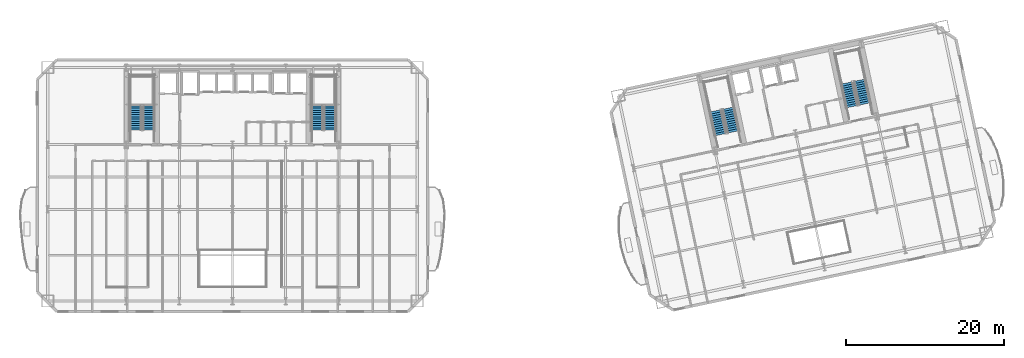
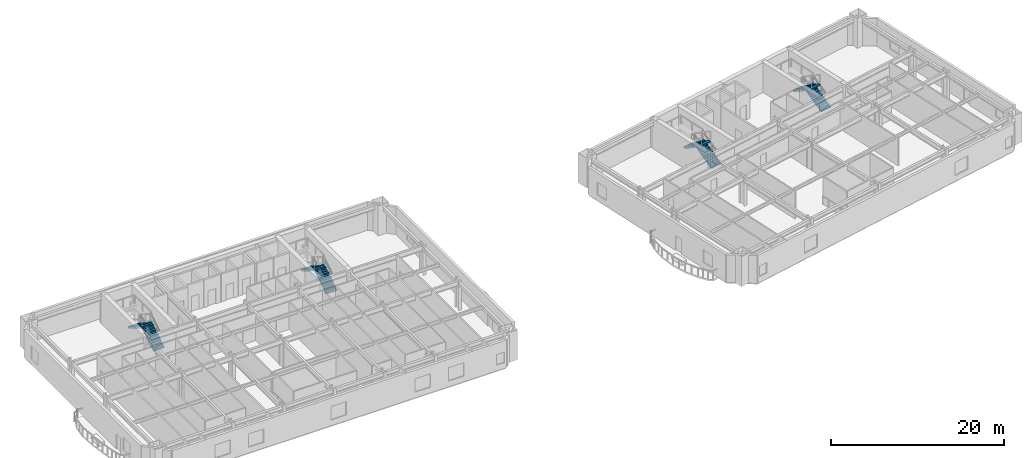
# One storey, part 10 of 15: 8 stair flights, 4 elements without a shape of their own.
"""IFC4 building model written with IfcOpenShell, lengths in metres."""

from ifc_helpers import new_model, si_unit, direction, frame, origin, place, context, subcontext, project, spatial, polyline, outline, extrude, material, type_object, element, aggregate, save


model = new_model("IFC4")

# Units and contexts
model_context = context("Model", 3, precision=1e-05, world=origin(), true_north=direction((0.0, 1.0)))
body_context = subcontext(model_context, "Body", "Model", "MODEL_VIEW")
ifc_project = project(units=[si_unit("LENGTHUNIT", "METRE"), si_unit("AREAUNIT", "SQUARE_METRE"), si_unit("VOLUMEUNIT", "CUBIC_METRE"), si_unit("PLANEANGLEUNIT", "RADIAN"), si_unit("MASSUNIT", "GRAM", prefix="KILO")], contexts=[model_context])

# Site, building, storey
site_placement = place(None, origin())
site = spatial("IfcSite", under=ifc_project, at=site_placement, CompositionType="ELEMENT")
building_placement = place(site_placement, origin())
building = spatial("IfcBuilding", under=site, at=building_placement, Name="Haevon Station Towers", CompositionType="ELEMENT")
storey_placement = place(building_placement, frame((0.0, 0.0, 77.699951171875)))
storey = spatial("IfcBuildingStorey", under=building, at=storey_placement, Name="L20", CompositionType="ELEMENT", Elevation=77.699951171875)

# Stair, stair flights
ifc_material = material(Name="Concrete C40/50", Category="concrete")
stair_type = type_object("IfcStairType", Name="STR-DL1450", PredefinedType="USERDEFINED", material=ifc_material)
stair_1_placement = place(storey_placement, origin())
stair_1 = element("IfcStair", 1, at=stair_1_placement, inside=storey, type_object=stair_type, Name="L20 Escape Stair ST1", ObjectType="TWO_RETURN_STAIR", PredefinedType="USERDEFINED")
stair_flight_type = type_object("IfcStairFlightType", Name="STF-ST1450", PredefinedType="STRAIGHT", material=ifc_material)
stair_flight_1_placement = place(storey_placement, frame((26.85498046875, 40.050048828125, 0.0), z_axis=(0.0, 0.0, 1.0), x_axis=(0.0, 1.0, 0.0)))
stair_flight_1 = element("IfcStairFlight", 2, at=stair_flight_1_placement, type_object=stair_flight_type, Name="L20 ST1 Flight 1", NumberOfRisers=12, NumberOfTreads=11, PredefinedType="STRAIGHT", RiserHeight=0.175, TreadLength=0.28, context=body_context, shape_type="SweptSolid", body=[
    extrude(outline(polyline([(0.0, 0.0), (0.0, 0.175048828125), (0.280029296875, 0.175048828125), (0.280029296875, 0.35009765625), (0.56005859375, 0.35009765625), (0.56005859375, 0.52490234375), (0.840087890625, 0.52490234375), (0.840087890625, 0.699951171875), (1.1201171875, 0.699951171875), (1.1201171875, 0.875), (1.39990234375, 0.875), (1.39990234375, 1.050048828125), (1.679931640625, 1.050048828125), (1.679931640625, 1.22509765625), (1.9599609375, 1.22509765625), (1.9599609375, 1.39990234375), (2.239990234375, 1.39990234375), (2.239990234375, 1.574951171875), (2.52001953125, 1.574951171875), (2.52001953125, 1.75), (2.800048828125, 1.75), (2.800048828125, 1.925048828125), (3.080078125, 1.925048828125), (3.080078125, 2.10009765625), (3.080078125, 1.736328125), (0.3017578125, 0.0), (0.0, 0.0)])), frame((0.0, 0.72509765625, 0.0), z_axis=(0.0, -1.0, 0.0), x_axis=(1.0, 0.0, 0.0)), (0.0, 0.0, 1.0), 1.449951171875),
])
stair_flight_2_placement = place(storey_placement, frame((25.205078125, 43.1298828125, 2.10009765625), z_axis=(0.0, 0.0, 1.0), x_axis=(0.0, -1.0, 0.0)))
stair_flight_2 = element("IfcStairFlight", 3, at=stair_flight_2_placement, type_object=stair_flight_type, Name="L20 ST1 Flight 2", NumberOfRisers=12, NumberOfTreads=11, PredefinedType="STRAIGHT", RiserHeight=0.175, TreadLength=0.28, context=body_context, shape_type="SweptSolid", body=[
    extrude(outline(polyline([(0.0, 0.0), (0.0, 0.175048828125), (0.280029296875, 0.175048828125), (0.280029296875, 0.35009765625), (0.56005859375, 0.35009765625), (0.56005859375, 0.52490234375), (0.840087890625, 0.52490234375), (0.840087890625, 0.699951171875), (1.1201171875, 0.699951171875), (1.1201171875, 0.875), (1.39990234375, 0.875), (1.39990234375, 1.050048828125), (1.679931640625, 1.050048828125), (1.679931640625, 1.22509765625), (1.9599609375, 1.22509765625), (1.9599609375, 1.39990234375), (2.239990234375, 1.39990234375), (2.239990234375, 1.574951171875), (2.52001953125, 1.574951171875), (2.52001953125, 1.75), (2.800048828125, 1.75), (2.800048828125, 1.925048828125), (3.080078125, 1.925048828125), (3.080078125, 2.10009765625), (3.080078125, 1.736328125), (0.3017578125, 0.0), (0.0, 0.0)])), frame((0.0, 0.72509765625, 0.0), z_axis=(0.0, -1.0, 0.0), x_axis=(1.0, 0.0, 0.0)), (0.0, 0.0, 1.0), 1.449951171875),
])
aggregate(stair_1, [stair_flight_1, stair_flight_2])

stair_2_placement = place(storey_placement, origin())
stair_2 = element("IfcStair", 4, at=stair_2_placement, inside=storey, type_object=stair_type, Name="L20 Escape Stair ST2", ObjectType="TWO_RETURN_STAIR", PredefinedType="USERDEFINED")
stair_flight_3_placement = place(storey_placement, frame((49.89501953125, 40.050048828125, 0.0), z_axis=(0.0, 0.0, 1.0), x_axis=(0.0, 1.0, 0.0)))
stair_flight_3 = element("IfcStairFlight", 5, at=stair_flight_3_placement, type_object=stair_flight_type, Name="L20 ST2 Flight 1", NumberOfRisers=12, NumberOfTreads=11, PredefinedType="STRAIGHT", RiserHeight=0.175, TreadLength=0.28, context=body_context, shape_type="SweptSolid", body=[
    extrude(outline(polyline([(0.0, 0.0), (0.0, 0.175048828125), (0.280029296875, 0.175048828125), (0.280029296875, 0.35009765625), (0.56005859375, 0.35009765625), (0.56005859375, 0.52490234375), (0.840087890625, 0.52490234375), (0.840087890625, 0.699951171875), (1.1201171875, 0.699951171875), (1.1201171875, 0.875), (1.39990234375, 0.875), (1.39990234375, 1.050048828125), (1.679931640625, 1.050048828125), (1.679931640625, 1.22509765625), (1.9599609375, 1.22509765625), (1.9599609375, 1.39990234375), (2.239990234375, 1.39990234375), (2.239990234375, 1.574951171875), (2.52001953125, 1.574951171875), (2.52001953125, 1.75), (2.800048828125, 1.75), (2.800048828125, 1.925048828125), (3.080078125, 1.925048828125), (3.080078125, 2.10009765625), (3.080078125, 1.736328125), (0.3017578125, 0.0), (0.0, 0.0)])), frame((0.0, 0.72509765625, 0.0), z_axis=(0.0, -1.0, 0.0), x_axis=(1.0, 0.0, 0.0)), (0.0, 0.0, 1.0), 1.449951171875),
])
stair_flight_4_placement = place(storey_placement, frame((48.2451171875, 43.1298828125, 2.10009765625), z_axis=(0.0, 0.0, 1.0), x_axis=(0.0, -1.0, 0.0)))
stair_flight_4 = element("IfcStairFlight", 6, at=stair_flight_4_placement, type_object=stair_flight_type, Name="L20 ST2 Flight 2", NumberOfRisers=12, NumberOfTreads=11, PredefinedType="STRAIGHT", RiserHeight=0.175, TreadLength=0.28, context=body_context, shape_type="SweptSolid", body=[
    extrude(outline(polyline([(0.0, 0.0), (0.0, 0.175048828125), (0.280029296875, 0.175048828125), (0.280029296875, 0.35009765625), (0.56005859375, 0.35009765625), (0.56005859375, 0.52490234375), (0.840087890625, 0.52490234375), (0.840087890625, 0.699951171875), (1.1201171875, 0.699951171875), (1.1201171875, 0.875), (1.39990234375, 0.875), (1.39990234375, 1.050048828125), (1.679931640625, 1.050048828125), (1.679931640625, 1.22509765625), (1.9599609375, 1.22509765625), (1.9599609375, 1.39990234375), (2.239990234375, 1.39990234375), (2.239990234375, 1.574951171875), (2.52001953125, 1.574951171875), (2.52001953125, 1.75), (2.800048828125, 1.75), (2.800048828125, 1.925048828125), (3.080078125, 1.925048828125), (3.080078125, 2.10009765625), (3.080078125, 1.736328125), (0.3017578125, 0.0), (0.0, 0.0)])), frame((0.0, 0.72509765625, 0.0), z_axis=(0.0, -1.0, 0.0), x_axis=(1.0, 0.0, 0.0)), (0.0, 0.0, 1.0), 1.449951171875),
])
aggregate(stair_2, [stair_flight_3, stair_flight_4])

stair_3_placement = place(storey_placement, origin())
stair_3 = element("IfcStair", 7, at=stair_3_placement, inside=storey, type_object=stair_type, Name="L20 Escape Stair ST3", ObjectType="TWO_RETURN_STAIR", PredefinedType="USERDEFINED")
stair_flight_5_placement = place(storey_placement, frame((101.1015625, 39.8330078125, 0.0), z_axis=(0.0, 0.0, 1.0), x_axis=(-0.207911690818, 0.978147600734, 0.0)))
stair_flight_5 = element("IfcStairFlight", 8, at=stair_flight_5_placement, type_object=stair_flight_type, Name="L20 ST3 Flight 1", NumberOfRisers=12, NumberOfTreads=11, PredefinedType="STRAIGHT", RiserHeight=0.175, TreadLength=0.28, context=body_context, shape_type="SweptSolid", body=[
    extrude(outline(polyline([(0.0, 0.0), (0.0, 0.175048828125), (0.280029296875, 0.175048828125), (0.280029296875, 0.35009765625), (0.56005859375, 0.35009765625), (0.56005859375, 0.52490234375), (0.840087890625, 0.52490234375), (0.840087890625, 0.699951171875), (1.1201171875, 0.699951171875), (1.1201171875, 0.875), (1.39990234375, 0.875), (1.39990234375, 1.050048828125), (1.679931640625, 1.050048828125), (1.679931640625, 1.22509765625), (1.9599609375, 1.22509765625), (1.9599609375, 1.39990234375), (2.239990234375, 1.39990234375), (2.239990234375, 1.574951171875), (2.52001953125, 1.574951171875), (2.52001953125, 1.75), (2.800048828125, 1.75), (2.800048828125, 1.925048828125), (3.080078125, 1.925048828125), (3.080078125, 2.10009765625), (3.080078125, 1.736328125), (0.3017578125, 0.0), (0.0, 0.0)])), frame((0.0, 0.72509765625, 0.0), z_axis=(0.0, -1.0, 0.0), x_axis=(1.0, 0.0, 0.0)), (0.0, 0.0, 1.0), 1.449951171875),
])
stair_flight_6_placement = place(storey_placement, frame((98.847412109375, 42.502685546875, 2.10009765625), z_axis=(0.0, 0.0, 1.0), x_axis=(0.207911690818, -0.978147600734, 0.0)))
stair_flight_6 = element("IfcStairFlight", 9, at=stair_flight_6_placement, type_object=stair_flight_type, Name="L20 ST3 Flight 2", NumberOfRisers=12, NumberOfTreads=11, PredefinedType="STRAIGHT", RiserHeight=0.175, TreadLength=0.28, context=body_context, shape_type="SweptSolid", body=[
    extrude(outline(polyline([(0.0, 0.0), (0.0, 0.175048828125), (0.280029296875, 0.175048828125), (0.280029296875, 0.35009765625), (0.56005859375, 0.35009765625), (0.56005859375, 0.52490234375), (0.840087890625, 0.52490234375), (0.840087890625, 0.699951171875), (1.1201171875, 0.699951171875), (1.1201171875, 0.875), (1.39990234375, 0.875), (1.39990234375, 1.050048828125), (1.679931640625, 1.050048828125), (1.679931640625, 1.22509765625), (1.9599609375, 1.22509765625), (1.9599609375, 1.39990234375), (2.239990234375, 1.39990234375), (2.239990234375, 1.574951171875), (2.52001953125, 1.574951171875), (2.52001953125, 1.75), (2.800048828125, 1.75), (2.800048828125, 1.925048828125), (3.080078125, 1.925048828125), (3.080078125, 2.10009765625), (3.080078125, 1.736328125), (0.3017578125, 0.0), (0.0, 0.0)])), frame((0.0, 0.72509765625, 0.0), z_axis=(0.0, -1.0, 0.0), x_axis=(1.0, 0.0, 0.0)), (0.0, 0.0, 1.0), 1.449951171875),
])
aggregate(stair_3, [stair_flight_5, stair_flight_6])

stair_4_placement = place(storey_placement, origin())
stair_4 = element("IfcStair", 10, at=stair_4_placement, inside=storey, type_object=stair_type, Name="L20 Escape Stair ST4", ObjectType="TWO_RETURN_STAIR", PredefinedType="USERDEFINED")
stair_flight_7_placement = place(storey_placement, frame((117.788818359375, 43.380126953125, 0.0), z_axis=(0.0, 0.0, 1.0), x_axis=(-0.207911690818, 0.978147600734, 0.0)))
stair_flight_7 = element("IfcStairFlight", 11, at=stair_flight_7_placement, type_object=stair_flight_type, Name="L20 ST4 Flight 1", NumberOfRisers=12, NumberOfTreads=11, PredefinedType="STRAIGHT", RiserHeight=0.175, TreadLength=0.28, context=body_context, shape_type="SweptSolid", body=[
    extrude(outline(polyline([(0.0, 0.0), (0.0, 0.175048828125), (0.280029296875, 0.175048828125), (0.280029296875, 0.35009765625), (0.56005859375, 0.35009765625), (0.56005859375, 0.52490234375), (0.840087890625, 0.52490234375), (0.840087890625, 0.699951171875), (1.1201171875, 0.699951171875), (1.1201171875, 0.875), (1.39990234375, 0.875), (1.39990234375, 1.050048828125), (1.679931640625, 1.050048828125), (1.679931640625, 1.22509765625), (1.9599609375, 1.22509765625), (1.9599609375, 1.39990234375), (2.239990234375, 1.39990234375), (2.239990234375, 1.574951171875), (2.52001953125, 1.574951171875), (2.52001953125, 1.75), (2.800048828125, 1.75), (2.800048828125, 1.925048828125), (3.080078125, 1.925048828125), (3.080078125, 2.10009765625), (3.080078125, 1.736328125), (0.3017578125, 0.0), (0.0, 0.0)])), frame((0.0, 0.72509765625, 0.0), z_axis=(0.0, -1.0, 0.0), x_axis=(1.0, 0.0, 0.0)), (0.0, 0.0, 1.0), 1.449951171875),
])
stair_flight_8_placement = place(storey_placement, frame((115.534423828125, 46.0498046875, 2.10009765625), z_axis=(0.0, 0.0, 1.0), x_axis=(0.207911690818, -0.978147600734, 0.0)))
stair_flight_8 = element("IfcStairFlight", 12, at=stair_flight_8_placement, type_object=stair_flight_type, Name="L20 ST4 Flight 2", NumberOfRisers=12, NumberOfTreads=11, PredefinedType="STRAIGHT", RiserHeight=0.175, TreadLength=0.28, context=body_context, shape_type="SweptSolid", body=[
    extrude(outline(polyline([(0.0, 0.0), (0.0, 0.175048828125), (0.280029296875, 0.175048828125), (0.280029296875, 0.35009765625), (0.56005859375, 0.35009765625), (0.56005859375, 0.52490234375), (0.840087890625, 0.52490234375), (0.840087890625, 0.699951171875), (1.1201171875, 0.699951171875), (1.1201171875, 0.875), (1.39990234375, 0.875), (1.39990234375, 1.050048828125), (1.679931640625, 1.050048828125), (1.679931640625, 1.22509765625), (1.9599609375, 1.22509765625), (1.9599609375, 1.39990234375), (2.239990234375, 1.39990234375), (2.239990234375, 1.574951171875), (2.52001953125, 1.574951171875), (2.52001953125, 1.75), (2.800048828125, 1.75), (2.800048828125, 1.925048828125), (3.080078125, 1.925048828125), (3.080078125, 2.10009765625), (3.080078125, 1.736328125), (0.3017578125, 0.0), (0.0, 0.0)])), frame((0.0, 0.72509765625, 0.0), z_axis=(0.0, -1.0, 0.0), x_axis=(1.0, 0.0, 0.0)), (0.0, 0.0, 1.0), 1.449951171875),
])
aggregate(stair_4, [stair_flight_7, stair_flight_8])

save(model, "model.ifc")
